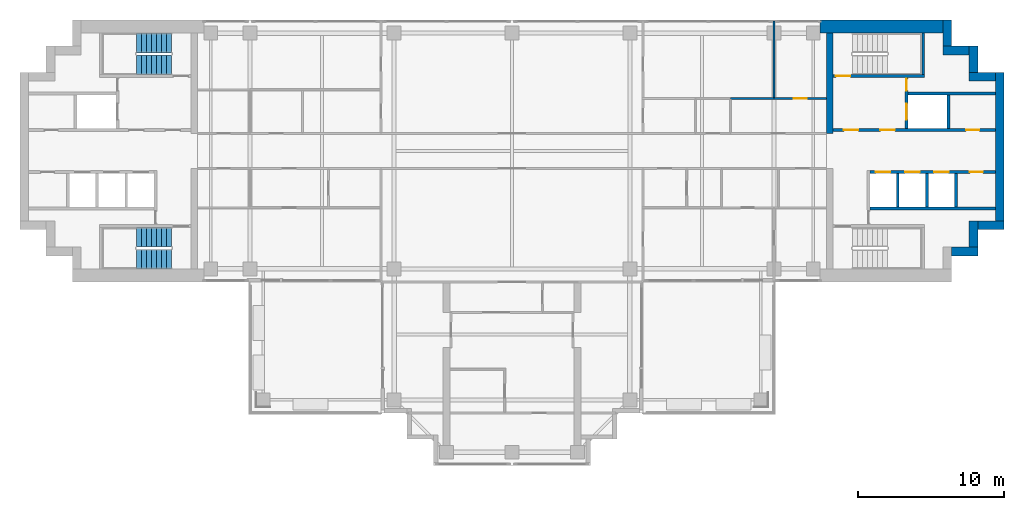
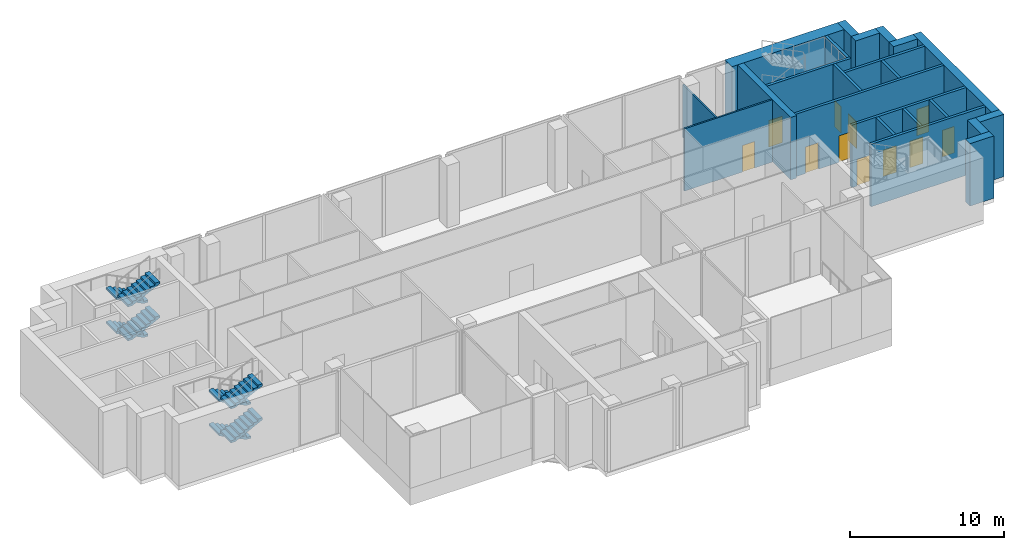
# One storey, part 8 of 12: 23 walls, 11 doors, 8 stair flights, 11 openings, 2 elements without a shape of their own.
"""IFC4 building model written with IfcOpenShell, lengths in metres."""

from ifc_helpers import new_model, si_unit, direction, frame, frame_2d, origin, place, context, subcontext, project, spatial, polyline, rectangle, outline, extrude, material, layer, layer_set, type_object, element, fill, aggregate, save


model = new_model("IFC4")

# Units and contexts
model_context = context("Model", 3, precision=1e-05, world=origin(), true_north=direction((0.0, 1.0)))
body_context = subcontext(model_context, "Body", "Model", "MODEL_VIEW")
ifc_project = project(units=[si_unit("LENGTHUNIT", "METRE"), si_unit("AREAUNIT", "SQUARE_METRE"), si_unit("VOLUMEUNIT", "CUBIC_METRE"), si_unit("PLANEANGLEUNIT", "RADIAN"), si_unit("MASSUNIT", "GRAM", prefix="KILO")], contexts=[model_context])

# Site, building, storey
site_placement = place(None, origin())
site = spatial("IfcSite", under=ifc_project, at=site_placement, CompositionType="ELEMENT")
building_placement = place(site_placement, origin())
building = spatial("IfcBuilding", under=site, at=building_placement, Name="Perihelion Cross Residences", CompositionType="ELEMENT")
storey_placement = place(building_placement, frame((0.0, 0.0, 222.60009765625)))
storey = spatial("IfcBuildingStorey", under=building, at=storey_placement, Name="L56", CompositionType="ELEMENT", Elevation=222.60009765625)

# Walls
ifc_material_1 = material(Name="Concrete C60/75", Category="concrete")
ifc_layer_1 = layer(ifc_material_1, 0.449951171875)
ifc_layer_set_1 = layer_set([ifc_layer_1], Name="Core wall, inner 450")
wall_type_1 = type_object("IfcWallType", Name="Core wall, inner 450", PredefinedType="SHEAR", material=ifc_layer_set_1)
wall_1_placement = place(storey_placement, frame((21.824951171875, 1.199951171875, 0.0), z_axis=(0.0, 0.0, 1.0), x_axis=(0.0, 1.0, 0.0)))
element("IfcWall", 1, at=wall_1_placement, inside=storey, type_object=wall_type_1, Name="East core core wall, inner", PredefinedType="SHEAR", context=body_context, shape_type="SweptSolid", body=[
    extrude(rectangle(XDim=6.900146484375, YDim=0.449951171875, at=frame_2d((3.4501953125, 0.0))), origin(), (0.0, 0.0, 1.0), 4.949951171875),
])
ifc_material_2 = material(Name="Concrete C60/75", Category="concrete")
ifc_layer_2 = layer(ifc_material_2, 0.60009765625)
ifc_layer_set_2 = layer_set([ifc_layer_2], Name="Core wall, outer 600")
wall_type_2 = type_object("IfcWallType", Name="Core wall, outer 600", PredefinedType="SHEAR", material=ifc_layer_set_2)
for number, where, z_axis, x_axis, name in (
    (2, (30.199951171875, -6.89990234375, 0.0), (0.0, 0.0, 1.0), (1.0, 0.0, 0.0), "East core core wall, outer"),
    (3, (31.699951171875, -6.60009765625, 0.0), (0.0, 0.0, 1.0), (0.0, 1.0, 0.0), "East core core wall, outer"),
    (4, (32.0, -5.10009765625, 0.0), (0.0, 0.0, 1.0), (1.0, 0.0, 0.0), "East core core wall, outer"),
):
    element("IfcWall", number, at=place(storey_placement, frame(where, z_axis=z_axis, x_axis=x_axis)), inside=storey, type_object=wall_type_2, Name=name, PredefinedType="SHEAR", context=body_context, shape_type="SweptSolid", body=[
        extrude(rectangle(XDim=1.800048828125, YDim=0.60009765625, at=frame_2d((0.89990234375, 0.0))), origin(), (0.0, 0.0, 1.0), 4.949951171875),
    ])
wall_2_placement = place(storey_placement, frame((33.5, -4.800048828125, 0.0), z_axis=(0.0, 0.0, 1.0), x_axis=(0.0, 1.0, 0.0)))
element("IfcWall", 5, at=wall_2_placement, inside=storey, type_object=wall_type_2, Name="East core core wall, outer", PredefinedType="SHEAR", context=body_context, shape_type="SweptSolid", body=[
    extrude(rectangle(XDim=10.199951171875, YDim=0.60009765625, at=frame_2d((5.10009765625, 0.0))), origin(), (0.0, 0.0, 1.0), 4.949951171875),
])
for number, where, z_axis, x_axis, name in (
    (6, (31.39990234375, 5.10009765625, 0.0), (0.0, 0.0, 1.0), (1.0, 0.0, 0.0), "East core core wall, outer"),
    (7, (31.699951171875, 5.39990234375, 0.0), (0.0, 0.0, 1.0), (0.0, 1.0, 0.0), "East core core wall, outer"),
):
    element("IfcWall", number, at=place(storey_placement, frame(where, z_axis=z_axis, x_axis=x_axis)), inside=storey, type_object=wall_type_2, Name=name, PredefinedType="SHEAR", context=body_context, shape_type="SweptSolid", body=[
        extrude(rectangle(XDim=1.800048828125, YDim=0.60009765625, at=frame_2d((0.89990234375, 0.0))), origin(), (0.0, 0.0, 1.0), 4.949951171875),
    ])
wall_3_placement = place(storey_placement, frame((29.60009765625, 6.89990234375, 0.0), z_axis=(0.0, 0.0, 1.0), x_axis=(1.0, 0.0, 0.0)))
element("IfcWall", 8, at=wall_3_placement, inside=storey, type_object=wall_type_2, Name="East core core wall, outer", PredefinedType="SHEAR", context=body_context, shape_type="SweptSolid", body=[
    extrude(rectangle(XDim=1.7998046875, YDim=0.60009765625, at=frame_2d((0.89990234375, 0.0))), origin(), (0.0, 0.0, 1.0), 4.949951171875),
])
wall_4_placement = place(storey_placement, frame((29.89990234375, 7.199951171875, 0.0), z_axis=(0.0, 0.0, 1.0), x_axis=(0.0, 1.0, 0.0)))
element("IfcWall", 9, at=wall_4_placement, inside=storey, type_object=wall_type_2, Name="East core core wall, outer", PredefinedType="SHEAR", context=body_context, shape_type="SweptSolid", body=[
    extrude(rectangle(XDim=1.800048828125, YDim=0.60009765625, at=frame_2d((0.89990234375, 0.0))), origin(), (0.0, 0.0, 1.0), 4.949951171875),
])
ifc_material_3 = material(Name="Concrete C60/75", Category="concrete")
ifc_layer_3 = layer(ifc_material_3, 0.89990234375)
ifc_layer_set_3 = layer_set([ifc_layer_3], Name="Core wall, outer 900")
wall_type_3 = type_object("IfcWallType", Name="Core wall, outer 900", PredefinedType="SHEAR", material=ifc_layer_set_3)
wall_5_placement = place(storey_placement, frame((21.175048828125, 8.550048828125, 0.0), z_axis=(0.0, 0.0, 1.0), x_axis=(1.0, 0.0, 0.0)))
element("IfcWall", 10, at=wall_5_placement, inside=storey, type_object=wall_type_3, Name="East core core wall, outer", PredefinedType="SHEAR", context=body_context, shape_type="SweptSolid", body=[
    extrude(rectangle(XDim=8.425048828125, YDim=0.89990234375, at=frame_2d((4.21240234375, 0.0))), origin(), (0.0, 0.0, 1.0), 4.949951171875),
])
ifc_material_4 = material(Name="Plasterboard partition")
ifc_layer_4 = layer(ifc_material_4, 0.1201171875)
ifc_layer_set_4 = layer_set([ifc_layer_4], Name="Partition wall 120")
wall_type_4 = type_object("IfcWallType", Name="Partition wall 120", PredefinedType="PARTITIONING", material=ifc_layer_set_4)
wall_6_placement = place(storey_placement, frame((18.0, 8.919921875, 0.0), z_axis=(0.0, 0.0, 1.0), x_axis=(0.0, -1.0, 0.0)))
element("IfcWall", 11, at=wall_6_placement, inside=storey, type_object=wall_type_4, Name="Partition L56 W015", PredefinedType="PARTITIONING", context=body_context, shape_type="SweptSolid", body=[
    extrude(rectangle(XDim=5.260009765625, YDim=0.1201171875, at=frame_2d((2.6298828125, 0.0))), origin(), (0.0, 0.0, 1.0), 4.179931640625),
])

# Wall, opening, door
wall_7_placement = place(storey_placement, frame((21.60009765625, 3.60009765625, 0.0), z_axis=(0.0, 0.0, 1.0), x_axis=(-1.0, 0.0, 0.0)))
wall_7 = element("IfcWall", 12, at=wall_7_placement, inside=storey, type_object=wall_type_4, Name="Partition L56 W018", PredefinedType="PARTITIONING", context=body_context, shape_type="SweptSolid", body=[
    extrude(rectangle(XDim=6.60009765625, YDim=0.1201171875, at=frame_2d((3.300048828125, 0.0))), origin(), (0.0, 0.0, 1.0), 4.949951171875),
])
opening_1_placement = place(wall_7_placement, frame((1.35009765625, 0.0, 0.0)))
opening_1 = element("IfcOpeningElement", 13, at=opening_1_placement, cuts=wall_7, Name="Opening L56.A16", PredefinedType="OPENING", context=body_context, shape_type="SweptSolid", body=[
    extrude(rectangle(XDim=0.89990234375, YDim=2.10009765625, at=frame_2d((0.449951171875, 1.050048828125))), frame((0.0, 0.070068359375, 0.0), z_axis=(0.0, -1.0, 0.0), x_axis=(1.0, 0.0, 0.0)), (0.0, 0.0, 1.0), 0.14013671875),
])
ifc_material_5 = material(Name="Timber door leaf", Category="wood")
door_type_1 = type_object("IfcDoorType", Name="Interior room door 900 x 2100", OperationType="SINGLE_SWING_LEFT", PredefinedType="DOOR", material=ifc_material_5)
door_1_placement = place(opening_1_placement, origin())
door_1 = element("IfcDoor", 14, at=door_1_placement, inside=storey, type_object=door_type_1, Name="Door L56.A16", OperationType="SINGLE_SWING_RIGHT", OverallHeight=2.10009765625, OverallWidth=0.89990234375, PredefinedType="DOOR", context=body_context, shape_type="SweptSolid", body=[
    extrude(rectangle(XDim=0.89990234375, YDim=2.10009765625, at=frame_2d((0.449951171875, 1.050048828125))), frame((0.0, 0.02490234375, 0.0), z_axis=(0.0, -1.0, 0.0), x_axis=(1.0, 0.0, 0.0)), (0.0, 0.0, 1.0), 0.050048828125),
])
fill(opening_1, door_1)

# Wall, openings, doors
ifc_material_6 = material(Name="Concrete C50/60", Category="concrete")
ifc_layer_5 = layer(ifc_material_6, 0.199951171875)
ifc_layer_set_5 = layer_set([ifc_layer_5], Name="Shaft wall 200")
wall_type_5 = type_object("IfcWallType", Name="Shaft wall 200", PredefinedType="SOLIDWALL", material=ifc_layer_set_5)
wall_8_placement = place(storey_placement, frame((22.050048828125, 1.449951171875, 0.0), z_axis=(0.0, 0.0, 1.0), x_axis=(1.0, 0.0, 0.0)))
wall_8 = element("IfcWall", 15, at=wall_8_placement, inside=storey, type_object=wall_type_5, Name="East core shaft wall", PredefinedType="SOLIDWALL", context=body_context, shape_type="SweptSolid", body=[
    extrude(rectangle(XDim=11.14990234375, YDim=0.199951171875, at=frame_2d((5.574951171875, 0.0))), origin(), (0.0, 0.0, 1.0), 4.949951171875),
])
opening_2_placement = place(wall_8_placement, frame((0.75, 0.0, 0.0)))
opening_2 = element("IfcOpeningElement", 16, at=opening_2_placement, cuts=wall_8, Name="Opening L56.C07", PredefinedType="OPENING", context=body_context, shape_type="SweptSolid", body=[
    extrude(rectangle(XDim=1.0, YDim=2.10009765625, at=frame_2d((0.5, 1.050048828125))), frame((0.0, 0.10986328125, 0.0), z_axis=(0.0, -1.0, 0.0), x_axis=(1.0, 0.0, 0.0)), (0.0, 0.0, 1.0), 0.219970703125),
])
opening_3_placement = place(wall_8_placement, frame((3.25, 0.0, 0.0)))
opening_3 = element("IfcOpeningElement", 17, at=opening_3_placement, cuts=wall_8, Name="Opening L56.C09", PredefinedType="OPENING", context=body_context, shape_type="SweptSolid", body=[
    extrude(rectangle(XDim=1.0, YDim=2.10009765625, at=frame_2d((0.5, 1.050048828125))), frame((0.0, 0.10986328125, 0.0), z_axis=(0.0, -1.0, 0.0), x_axis=(1.0, 0.0, 0.0)), (0.0, 0.0, 1.0), 0.219970703125),
])
opening_4_placement = place(wall_8_placement, frame((9.14990234375, 0.0, 0.0)))
opening_4 = element("IfcOpeningElement", 18, at=opening_4_placement, cuts=wall_8, Name="Opening L56.C11", PredefinedType="OPENING", context=body_context, shape_type="SweptSolid", body=[
    extrude(rectangle(XDim=0.89990234375, YDim=2.10009765625, at=frame_2d((0.449951171875, 1.050048828125))), frame((0.0, 0.10986328125, 0.0), z_axis=(0.0, -1.0, 0.0), x_axis=(1.0, 0.0, 0.0)), (0.0, 0.0, 1.0), 0.219970703125),
])
ifc_material_7 = material(Name="Steel, powder coated", Category="steel")
door_type_2 = type_object("IfcDoorType", Name="Lobby door 1000", OperationType="SINGLE_SWING_LEFT", PredefinedType="DOOR", material=ifc_material_7)
door_2_placement = place(opening_2_placement, origin())
door_2 = element("IfcDoor", 19, at=door_2_placement, inside=storey, type_object=door_type_2, Name="East core firefighting lobby door", OperationType="SINGLE_SWING_LEFT", OverallHeight=2.10009765625, OverallWidth=1.0, PredefinedType="DOOR", context=body_context, shape_type="SweptSolid", body=[
    extrude(rectangle(XDim=1.0, YDim=2.10009765625, at=frame_2d((0.5, 1.050048828125))), frame((0.0, 0.02490234375, 0.0), z_axis=(0.0, -1.0, 0.0), x_axis=(1.0, 0.0, 0.0)), (0.0, 0.0, 1.0), 0.050048828125),
])
fill(opening_2, door_2)
door_3_placement = place(opening_3_placement, origin())
door_3 = element("IfcDoor", 20, at=door_3_placement, inside=storey, type_object=door_type_2, Name="East core firefighting lobby door", OperationType="SINGLE_SWING_LEFT", OverallHeight=2.10009765625, OverallWidth=1.0, PredefinedType="DOOR", context=body_context, shape_type="SweptSolid", body=[
    extrude(rectangle(XDim=1.0, YDim=2.10009765625, at=frame_2d((0.5, 1.050048828125))), frame((0.0, 0.02490234375, 0.0), z_axis=(0.0, -1.0, 0.0), x_axis=(1.0, 0.0, 0.0)), (0.0, 0.0, 1.0), 0.050048828125),
])
fill(opening_3, door_3)
ifc_material_8 = material(Name="Steel, powder coated", Category="steel")
door_type_3 = type_object("IfcDoorType", Name="Service room door 900", OperationType="SINGLE_SWING_LEFT", PredefinedType="DOOR", material=ifc_material_8)
door_4_placement = place(opening_4_placement, origin())
door_4 = element("IfcDoor", 21, at=door_4_placement, inside=storey, type_object=door_type_3, Name="East core service room door", OperationType="SINGLE_SWING_LEFT", OverallHeight=2.10009765625, OverallWidth=0.89990234375, PredefinedType="DOOR", context=body_context, shape_type="SweptSolid", body=[
    extrude(rectangle(XDim=0.89990234375, YDim=2.10009765625, at=frame_2d((0.449951171875, 1.050048828125))), frame((0.0, 0.02490234375, 0.0), z_axis=(0.0, -1.0, 0.0), x_axis=(1.0, 0.0, 0.0)), (0.0, 0.0, 1.0), 0.050048828125),
])
fill(opening_4, door_4)

wall_9_placement = place(storey_placement, frame((24.60009765625, -1.449951171875, 0.0), z_axis=(0.0, 0.0, 1.0), x_axis=(1.0, 0.0, 0.0)))
wall_9 = element("IfcWall", 22, at=wall_9_placement, inside=storey, type_object=wall_type_5, Name="East core shaft wall", PredefinedType="SOLIDWALL", context=body_context, shape_type="SweptSolid", body=[
    extrude(rectangle(XDim=8.599853515625, YDim=0.199951171875, at=frame_2d((4.2998046875, 0.0))), origin(), (0.0, 0.0, 1.0), 4.949951171875),
])
opening_5_placement = place(wall_9_placement, frame((0.39990234375, 0.0, 0.0)))
opening_5 = element("IfcOpeningElement", 23, at=opening_5_placement, cuts=wall_9, Name="Opening L56.C01", PredefinedType="OPENING", context=body_context, shape_type="SweptSolid", body=[
    extrude(rectangle(XDim=1.0, YDim=2.10009765625, at=frame_2d((0.5, 1.050048828125))), frame((0.0, 0.10986328125, 0.0), z_axis=(0.0, -1.0, 0.0), x_axis=(1.0, 0.0, 0.0)), (0.0, 0.0, 1.0), 0.219970703125),
])
opening_6_placement = place(wall_9_placement, frame((2.39990234375, 0.0, 0.0)))
opening_6 = element("IfcOpeningElement", 24, at=opening_6_placement, cuts=wall_9, Name="Opening L56.C03", PredefinedType="OPENING", context=body_context, shape_type="SweptSolid", body=[
    extrude(rectangle(XDim=1.0, YDim=2.10009765625, at=frame_2d((0.5, 1.050048828125))), frame((0.0, 0.10986328125, 0.0), z_axis=(0.0, -1.0, 0.0), x_axis=(1.0, 0.0, 0.0)), (0.0, 0.0, 1.0), 0.219970703125),
])
opening_7_placement = place(wall_9_placement, frame((4.39990234375, 0.0, 0.0)))
opening_7 = element("IfcOpeningElement", 25, at=opening_7_placement, cuts=wall_9, Name="Opening L56.C04", PredefinedType="OPENING", context=body_context, shape_type="SweptSolid", body=[
    extrude(rectangle(XDim=1.0, YDim=2.10009765625, at=frame_2d((0.5, 1.050048828125))), frame((0.0, 0.10986328125, 0.0), z_axis=(0.0, -1.0, 0.0), x_axis=(1.0, 0.0, 0.0)), (0.0, 0.0, 1.0), 0.219970703125),
])
opening_8_placement = place(wall_9_placement, frame((6.85009765625, 0.0, 0.0)))
opening_8 = element("IfcOpeningElement", 26, at=opening_8_placement, cuts=wall_9, Name="Opening L56.C12", PredefinedType="OPENING", context=body_context, shape_type="SweptSolid", body=[
    extrude(rectangle(XDim=0.89990234375, YDim=2.10009765625, at=frame_2d((0.449951171875, 1.050048828125))), frame((0.0, 0.10986328125, 0.0), z_axis=(0.0, -1.0, 0.0), x_axis=(1.0, 0.0, 0.0)), (0.0, 0.0, 1.0), 0.219970703125),
])
ifc_material_9 = material(Name="Stainless steel", Category="steel")
door_type_4 = type_object("IfcDoorType", Name="Landing door 1000", OperationType="DOUBLE_DOOR_SLIDING", PredefinedType="DOOR", material=ifc_material_9)
door_5_placement = place(opening_5_placement, origin())
door_5 = element("IfcDoor", 27, at=door_5_placement, inside=storey, type_object=door_type_4, Name="Landing door, East core high-rise lift 1", OperationType="DOUBLE_DOOR_SLIDING", OverallHeight=2.10009765625, OverallWidth=1.0, PredefinedType="DOOR", context=body_context, shape_type="SweptSolid", body=[
    extrude(rectangle(XDim=1.0, YDim=2.10009765625, at=frame_2d((0.5, 1.050048828125))), frame((0.0, 0.02490234375, 0.0), z_axis=(0.0, -1.0, 0.0), x_axis=(1.0, 0.0, 0.0)), (0.0, 0.0, 1.0), 0.050048828125),
])
fill(opening_5, door_5)
door_6_placement = place(opening_6_placement, origin())
door_6 = element("IfcDoor", 28, at=door_6_placement, inside=storey, type_object=door_type_4, Name="Landing door, East core high-rise lift 2", OperationType="DOUBLE_DOOR_SLIDING", OverallHeight=2.10009765625, OverallWidth=1.0, PredefinedType="DOOR", context=body_context, shape_type="SweptSolid", body=[
    extrude(rectangle(XDim=1.0, YDim=2.10009765625, at=frame_2d((0.5, 1.050048828125))), frame((0.0, 0.02490234375, 0.0), z_axis=(0.0, -1.0, 0.0), x_axis=(1.0, 0.0, 0.0)), (0.0, 0.0, 1.0), 0.050048828125),
])
fill(opening_6, door_6)
door_7_placement = place(opening_7_placement, origin())
door_7 = element("IfcDoor", 29, at=door_7_placement, inside=storey, type_object=door_type_4, Name="Landing door, East core high-rise lift 3", OperationType="DOUBLE_DOOR_SLIDING", OverallHeight=2.10009765625, OverallWidth=1.0, PredefinedType="DOOR", context=body_context, shape_type="SweptSolid", body=[
    extrude(rectangle(XDim=1.0, YDim=2.10009765625, at=frame_2d((0.5, 1.050048828125))), frame((0.0, 0.02490234375, 0.0), z_axis=(0.0, -1.0, 0.0), x_axis=(1.0, 0.0, 0.0)), (0.0, 0.0, 1.0), 0.050048828125),
])
fill(opening_7, door_7)
door_8_placement = place(opening_8_placement, origin())
door_8 = element("IfcDoor", 30, at=door_8_placement, inside=storey, type_object=door_type_3, Name="East core service room door", OperationType="SINGLE_SWING_LEFT", OverallHeight=2.10009765625, OverallWidth=0.89990234375, PredefinedType="DOOR", context=body_context, shape_type="SweptSolid", body=[
    extrude(rectangle(XDim=0.89990234375, YDim=2.10009765625, at=frame_2d((0.449951171875, 1.050048828125))), frame((0.0, 0.02490234375, 0.0), z_axis=(0.0, -1.0, 0.0), x_axis=(1.0, 0.0, 0.0)), (0.0, 0.0, 1.0), 0.050048828125),
])
fill(opening_8, door_8)

# Walls
wall_10_placement = place(storey_placement, frame((27.199951171875, 3.949951171875, 0.0), z_axis=(0.0, 0.0, 1.0), x_axis=(1.0, 0.0, 0.0)))
element("IfcWall", 31, at=wall_10_placement, inside=storey, type_object=wall_type_5, Name="East core shaft wall", PredefinedType="SOLIDWALL", context=body_context, shape_type="SweptSolid", body=[
    extrude(rectangle(XDim=6.0, YDim=0.199951171875, at=frame_2d((3.0, 0.0))), origin(), (0.0, 0.0, 1.0), 4.949951171875),
])
wall_11_placement = place(storey_placement, frame((24.60009765625, -3.949951171875, 0.0), z_axis=(0.0, 0.0, 1.0), x_axis=(1.0, 0.0, 0.0)))
element("IfcWall", 32, at=wall_11_placement, inside=storey, type_object=wall_type_5, Name="East core shaft wall", PredefinedType="SOLIDWALL", context=body_context, shape_type="SweptSolid", body=[
    extrude(rectangle(XDim=8.599853515625, YDim=0.199951171875, at=frame_2d((4.2998046875, 0.0))), origin(), (0.0, 0.0, 1.0), 4.949951171875),
])

# Wall, openings, doors
wall_12_placement = place(storey_placement, frame((27.10009765625, 1.550048828125, 0.0), z_axis=(0.0, 0.0, 1.0), x_axis=(0.0, 1.0, 0.0)))
wall_12 = element("IfcWall", 33, at=wall_12_placement, inside=storey, type_object=wall_type_5, Name="East core shaft wall", PredefinedType="SOLIDWALL", context=body_context, shape_type="SweptSolid", body=[
    extrude(rectangle(XDim=3.5, YDim=0.199951171875, at=frame_2d((1.75, 0.0))), origin(), (0.0, 0.0, 1.0), 4.949951171875),
])
opening_9_placement = place(wall_12_placement, frame((0.60009765625, 0.0, 0.0)))
opening_9 = element("IfcOpeningElement", 34, at=opening_9_placement, cuts=wall_12, Name="Opening L56.C02", PredefinedType="OPENING", context=body_context, shape_type="SweptSolid", body=[
    extrude(rectangle(XDim=1.10009765625, YDim=2.10009765625, at=frame_2d((0.550048828125, 1.050048828125))), frame((0.0, 0.10986328125, 0.0), z_axis=(0.0, -1.0, 0.0), x_axis=(1.0, 0.0, 0.0)), (0.0, 0.0, 1.0), 0.219970703125),
])
opening_10_placement = place(wall_12_placement, frame((2.60009765625, 0.0, 0.0)))
opening_10 = element("IfcOpeningElement", 35, at=opening_10_placement, cuts=wall_12, Name="Opening L56.C10", PredefinedType="OPENING", context=body_context, shape_type="SweptSolid", body=[
    extrude(rectangle(XDim=0.800048828125, YDim=2.10009765625, at=frame_2d((0.39990234375, 1.050048828125))), frame((0.0, 0.10986328125, 0.0), z_axis=(0.0, -1.0, 0.0), x_axis=(1.0, 0.0, 0.0)), (0.0, 0.0, 1.0), 0.219970703125),
])
ifc_material_10 = material(Name="Stainless steel", Category="steel")
door_type_5 = type_object("IfcDoorType", Name="Landing door, firefighting lift 1100", OperationType="DOUBLE_DOOR_SLIDING", PredefinedType="DOOR", material=ifc_material_10)
door_9_placement = place(opening_9_placement, origin())
door_9 = element("IfcDoor", 36, at=door_9_placement, inside=storey, type_object=door_type_5, Name="Landing door, East core firefighting and service lift", OperationType="DOUBLE_DOOR_SLIDING", OverallHeight=2.10009765625, OverallWidth=1.10009765625, PredefinedType="DOOR", context=body_context, shape_type="SweptSolid", body=[
    extrude(rectangle(XDim=1.10009765625, YDim=2.10009765625, at=frame_2d((0.550048828125, 1.050048828125))), frame((0.0, 0.02490234375, 0.0), z_axis=(0.0, -1.0, 0.0), x_axis=(1.0, 0.0, 0.0)), (0.0, 0.0, 1.0), 0.050048828125),
])
fill(opening_9, door_9)
ifc_material_11 = material(Name="Steel, powder coated", Category="steel")
door_type_6 = type_object("IfcDoorType", Name="Riser door 800", OperationType="SINGLE_SWING_LEFT", PredefinedType="DOOR", material=ifc_material_11)
door_10_placement = place(opening_10_placement, origin())
door_10 = element("IfcDoor", 37, at=door_10_placement, inside=storey, type_object=door_type_6, Name="East core riser door", OperationType="SINGLE_SWING_LEFT", OverallHeight=2.10009765625, OverallWidth=0.800048828125, PredefinedType="DOOR", context=body_context, shape_type="SweptSolid", body=[
    extrude(rectangle(XDim=0.800048828125, YDim=2.10009765625, at=frame_2d((0.39990234375, 1.050048828125))), frame((0.0, 0.02490234375, 0.0), z_axis=(0.0, -1.0, 0.0), x_axis=(1.0, 0.0, 0.0)), (0.0, 0.0, 1.0), 0.050048828125),
])
fill(opening_10, door_10)

# Walls
for number, where, z_axis, x_axis, name in (
    (38, (30.0, 1.550048828125, 0.0), (0.0, 0.0, 1.0), (0.0, 1.0, 0.0), "East core shaft wall"),
    (39, (26.5, -3.85009765625, 0.0), (0.0, 0.0, 1.0), (0.0, 1.0, 0.0), "East core shaft wall"),
    (40, (28.5, -3.85009765625, 0.0), (0.0, 0.0, 1.0), (0.0, 1.0, 0.0), "East core shaft wall"),
    (41, (30.5, -3.85009765625, 0.0), (0.0, 0.0, 1.0), (0.0, 1.0, 0.0), "East core shaft wall"),
):
    element("IfcWall", number, at=place(storey_placement, frame(where, z_axis=z_axis, x_axis=x_axis)), inside=storey, type_object=wall_type_5, Name=name, PredefinedType="SOLIDWALL", context=body_context, shape_type="SweptSolid", body=[
        extrude(rectangle(XDim=2.300048828125, YDim=0.199951171875, at=frame_2d((1.14990234375, 0.0))), origin(), (0.0, 0.0, 1.0), 4.949951171875),
    ])

# Wall, opening, door
ifc_material_12 = material(Name="Concrete C50/60", Category="concrete")
ifc_layer_6 = layer(ifc_material_12, 0.199951171875)
ifc_layer_set_6 = layer_set([ifc_layer_6], Name="Stair wall 200")
wall_type_6 = type_object("IfcWallType", Name="Stair wall 200", PredefinedType="SOLIDWALL", material=ifc_layer_set_6)
wall_13_placement = place(storey_placement, frame((22.050048828125, 5.14990234375, 0.0), z_axis=(0.0, 0.0, 1.0), x_axis=(1.0, 0.0, 0.0)))
wall_13 = element("IfcWall", 42, at=wall_13_placement, inside=storey, type_object=wall_type_6, Name="East core stair wall", PredefinedType="SOLIDWALL", context=body_context, shape_type="SweptSolid", body=[
    extrude(rectangle(XDim=6.300048828125, YDim=0.199951171875, at=frame_2d((3.14990234375, 0.0))), origin(), (0.0, 0.0, 1.0), 4.949951171875),
])
opening_11_placement = place(wall_13_placement, frame((0.199951171875, 0.0, 0.0)))
opening_11 = element("IfcOpeningElement", 43, at=opening_11_placement, cuts=wall_13, Name="Opening L56.C06", PredefinedType="OPENING", context=body_context, shape_type="SweptSolid", body=[
    extrude(rectangle(XDim=1.0, YDim=2.10009765625, at=frame_2d((0.5, 1.050048828125))), frame((0.0, 0.10986328125, 0.0), z_axis=(0.0, -1.0, 0.0), x_axis=(1.0, 0.0, 0.0)), (0.0, 0.0, 1.0), 0.219970703125),
])
ifc_material_13 = material(Name="Steel, powder coated", Category="steel")
door_type_7 = type_object("IfcDoorType", Name="Stair door 1000", OperationType="SINGLE_SWING_LEFT", PredefinedType="DOOR", material=ifc_material_13)
door_11_placement = place(opening_11_placement, origin())
door_11 = element("IfcDoor", 44, at=door_11_placement, inside=storey, type_object=door_type_7, Name="East core stair door", OperationType="SINGLE_SWING_LEFT", OverallHeight=2.10009765625, OverallWidth=1.0, PredefinedType="DOOR", context=body_context, shape_type="SweptSolid", body=[
    extrude(rectangle(XDim=1.0, YDim=2.10009765625, at=frame_2d((0.5, 1.050048828125))), frame((0.0, 0.02490234375, 0.0), z_axis=(0.0, -1.0, 0.0), x_axis=(1.0, 0.0, 0.0)), (0.0, 0.0, 1.0), 0.050048828125),
])
fill(opening_11, door_11)

# Wall
wall_14_placement = place(storey_placement, frame((28.25, 5.25, 0.0), z_axis=(0.0, 0.0, 1.0), x_axis=(0.0, 1.0, 0.0)))
element("IfcWall", 45, at=wall_14_placement, inside=storey, type_object=wall_type_6, Name="East core stair wall", PredefinedType="SOLIDWALL", context=body_context, shape_type="SweptSolid", body=[
    extrude(rectangle(XDim=2.85009765625, YDim=0.199951171875, at=frame_2d((1.425048828125, 0.0))), origin(), (0.0, 0.0, 1.0), 4.949951171875),
])

# Stair, stair flights
ifc_material_14 = material(Name="Concrete C40/50", Category="concrete")
stair_type = type_object("IfcStairType", Name="Exit stair, half-turn", PredefinedType="HALF_TURN_STAIR", material=ifc_material_14)
stair_1_placement = place(storey_placement, origin())
stair_1 = element("IfcStair", 46, at=stair_1_placement, inside=storey, type_object=stair_type, Name="L56 West core exit stair 1", PredefinedType="HALF_TURN_STAIR")
ifc_material_15 = material(Name="Concrete C40/50", Category="concrete")
stair_flight_type = type_object("IfcStairFlightType", Name="Exit stair flight", PredefinedType="STRAIGHT", material=ifc_material_15)
stair_flight_1_placement = place(storey_placement, frame((-23.39990234375, 7.425048828125, 0.0), z_axis=(0.0, 0.0, 1.0), x_axis=(-1.0, 0.0, 0.0)))
stair_flight_1 = element("IfcStairFlight", 47, at=stair_flight_1_placement, type_object=stair_flight_type, Name="ST-W1 flight 1", NumberOfRisers=8, NumberOfTreads=7, PredefinedType="STRAIGHT", RiserHeight=0.16875, TreadLength=0.34, context=body_context, shape_type="SweptSolid", body=[
    extrude(outline(polyline([(0.0, 0.0), (0.0, 0.168701171875), (0.340087890625, 0.168701171875), (0.340087890625, 0.33740234375), (0.679931640625, 0.33740234375), (0.679931640625, 0.50634765625), (1.02001953125, 0.50634765625), (1.02001953125, 0.675048828125), (1.360107421875, 0.675048828125), (1.360107421875, 0.84375), (1.699951171875, 0.84375), (1.699951171875, 1.012451171875), (2.0400390625, 1.012451171875), (2.0400390625, 1.18115234375), (2.3798828125, 1.18115234375), (2.3798828125, 1.35009765625), (2.3798828125, 1.013916015625), (0.337158203125, 0.0), (0.0, 0.0)])), frame((0.0, 0.675048828125, 0.0), z_axis=(0.0, -1.0, 0.0), x_axis=(1.0, 0.0, 0.0)), (0.0, 0.0, 1.0), 1.35009765625),
])
stair_flight_2_placement = place(storey_placement, frame((-25.780029296875, 5.925048828125, 1.349853515625), z_axis=(0.0, 0.0, 1.0), x_axis=(1.0, 0.0, 0.0)))
stair_flight_2 = element("IfcStairFlight", 48, at=stair_flight_2_placement, type_object=stair_flight_type, Name="ST-W1 flight 2", NumberOfRisers=8, NumberOfTreads=7, PredefinedType="STRAIGHT", RiserHeight=0.16875, TreadLength=0.34, context=body_context, shape_type="SweptSolid", body=[
    extrude(outline(polyline([(0.0, 0.0), (0.0, 0.168701171875), (0.340087890625, 0.168701171875), (0.340087890625, 0.33740234375), (0.679931640625, 0.33740234375), (0.679931640625, 0.50634765625), (1.02001953125, 0.50634765625), (1.02001953125, 0.675048828125), (1.360107421875, 0.675048828125), (1.360107421875, 0.84375), (1.699951171875, 0.84375), (1.699951171875, 1.012451171875), (2.0400390625, 1.012451171875), (2.0400390625, 1.18115234375), (2.3798828125, 1.18115234375), (2.3798828125, 1.35009765625), (2.3798828125, 1.013916015625), (0.337158203125, 0.0), (0.0, 0.0)])), frame((0.0, 0.675048828125, 0.0), z_axis=(0.0, -1.0, 0.0), x_axis=(1.0, 0.0, 0.0)), (0.0, 0.0, 1.0), 1.35009765625),
])
stair_flight_3_placement = place(storey_placement, frame((-23.39990234375, 7.425048828125, 2.699951171875), z_axis=(0.0, 0.0, 1.0), x_axis=(-1.0, 0.0, 0.0)))
stair_flight_3 = element("IfcStairFlight", 49, at=stair_flight_3_placement, type_object=stair_flight_type, Name="ST-W1 flight 3", NumberOfRisers=8, NumberOfTreads=7, PredefinedType="STRAIGHT", RiserHeight=0.16875, TreadLength=0.34, context=body_context, shape_type="SweptSolid", body=[
    extrude(outline(polyline([(0.0, 0.0), (0.0, 0.168701171875), (0.340087890625, 0.168701171875), (0.340087890625, 0.33740234375), (0.679931640625, 0.33740234375), (0.679931640625, 0.50634765625), (1.02001953125, 0.50634765625), (1.02001953125, 0.675048828125), (1.360107421875, 0.675048828125), (1.360107421875, 0.84375), (1.699951171875, 0.84375), (1.699951171875, 1.012451171875), (2.0400390625, 1.012451171875), (2.0400390625, 1.18115234375), (2.3798828125, 1.18115234375), (2.3798828125, 1.35009765625), (2.3798828125, 1.013916015625), (0.337158203125, 0.0), (0.0, 0.0)])), frame((0.0, 0.675048828125, 0.0), z_axis=(0.0, -1.0, 0.0), x_axis=(1.0, 0.0, 0.0)), (0.0, 0.0, 1.0), 1.35009765625),
])
stair_flight_4_placement = place(storey_placement, frame((-25.780029296875, 5.925048828125, 4.0498046875), z_axis=(0.0, 0.0, 1.0), x_axis=(1.0, 0.0, 0.0)))
stair_flight_4 = element("IfcStairFlight", 50, at=stair_flight_4_placement, type_object=stair_flight_type, Name="ST-W1 flight 4", NumberOfRisers=8, NumberOfTreads=7, PredefinedType="STRAIGHT", RiserHeight=0.16875, TreadLength=0.34, context=body_context, shape_type="SweptSolid", body=[
    extrude(outline(polyline([(0.0, 0.0), (0.0, 0.168701171875), (0.340087890625, 0.168701171875), (0.340087890625, 0.33740234375), (0.679931640625, 0.33740234375), (0.679931640625, 0.50634765625), (1.02001953125, 0.50634765625), (1.02001953125, 0.675048828125), (1.360107421875, 0.675048828125), (1.360107421875, 0.84375), (1.699951171875, 0.84375), (1.699951171875, 1.012451171875), (2.0400390625, 1.012451171875), (2.0400390625, 1.18115234375), (2.3798828125, 1.18115234375), (2.3798828125, 1.35009765625), (2.3798828125, 1.013916015625), (0.337158203125, 0.0), (0.0, 0.0)])), frame((0.0, 0.675048828125, 0.0), z_axis=(0.0, -1.0, 0.0), x_axis=(1.0, 0.0, 0.0)), (0.0, 0.0, 1.0), 1.35009765625),
])
aggregate(stair_1, [stair_flight_1, stair_flight_2, stair_flight_3, stair_flight_4])

stair_2_placement = place(storey_placement, origin())
stair_2 = element("IfcStair", 51, at=stair_2_placement, inside=storey, type_object=stair_type, Name="L56 West core exit stair 2", PredefinedType="HALF_TURN_STAIR")
stair_flight_5_placement = place(storey_placement, frame((-23.39990234375, -5.925048828125, 0.0), z_axis=(0.0, 0.0, 1.0), x_axis=(-1.0, 0.0, 0.0)))
stair_flight_5 = element("IfcStairFlight", 52, at=stair_flight_5_placement, type_object=stair_flight_type, Name="ST-W2 flight 1", NumberOfRisers=8, NumberOfTreads=7, PredefinedType="STRAIGHT", RiserHeight=0.16875, TreadLength=0.34, context=body_context, shape_type="SweptSolid", body=[
    extrude(outline(polyline([(0.0, 0.0), (0.0, 0.168701171875), (0.340087890625, 0.168701171875), (0.340087890625, 0.33740234375), (0.679931640625, 0.33740234375), (0.679931640625, 0.50634765625), (1.02001953125, 0.50634765625), (1.02001953125, 0.675048828125), (1.360107421875, 0.675048828125), (1.360107421875, 0.84375), (1.699951171875, 0.84375), (1.699951171875, 1.012451171875), (2.0400390625, 1.012451171875), (2.0400390625, 1.18115234375), (2.3798828125, 1.18115234375), (2.3798828125, 1.35009765625), (2.3798828125, 1.013916015625), (0.337158203125, 0.0), (0.0, 0.0)])), frame((0.0, 0.675048828125, 0.0), z_axis=(0.0, -1.0, 0.0), x_axis=(1.0, 0.0, 0.0)), (0.0, 0.0, 1.0), 1.35009765625),
])
stair_flight_6_placement = place(storey_placement, frame((-25.780029296875, -7.425048828125, 1.349853515625), z_axis=(0.0, 0.0, 1.0), x_axis=(1.0, 0.0, 0.0)))
stair_flight_6 = element("IfcStairFlight", 53, at=stair_flight_6_placement, type_object=stair_flight_type, Name="ST-W2 flight 2", NumberOfRisers=8, NumberOfTreads=7, PredefinedType="STRAIGHT", RiserHeight=0.16875, TreadLength=0.34, context=body_context, shape_type="SweptSolid", body=[
    extrude(outline(polyline([(0.0, 0.0), (0.0, 0.168701171875), (0.340087890625, 0.168701171875), (0.340087890625, 0.33740234375), (0.679931640625, 0.33740234375), (0.679931640625, 0.50634765625), (1.02001953125, 0.50634765625), (1.02001953125, 0.675048828125), (1.360107421875, 0.675048828125), (1.360107421875, 0.84375), (1.699951171875, 0.84375), (1.699951171875, 1.012451171875), (2.0400390625, 1.012451171875), (2.0400390625, 1.18115234375), (2.3798828125, 1.18115234375), (2.3798828125, 1.35009765625), (2.3798828125, 1.013916015625), (0.337158203125, 0.0), (0.0, 0.0)])), frame((0.0, 0.675048828125, 0.0), z_axis=(0.0, -1.0, 0.0), x_axis=(1.0, 0.0, 0.0)), (0.0, 0.0, 1.0), 1.35009765625),
])
stair_flight_7_placement = place(storey_placement, frame((-23.39990234375, -5.925048828125, 2.699951171875), z_axis=(0.0, 0.0, 1.0), x_axis=(-1.0, 0.0, 0.0)))
stair_flight_7 = element("IfcStairFlight", 54, at=stair_flight_7_placement, type_object=stair_flight_type, Name="ST-W2 flight 3", NumberOfRisers=8, NumberOfTreads=7, PredefinedType="STRAIGHT", RiserHeight=0.16875, TreadLength=0.34, context=body_context, shape_type="SweptSolid", body=[
    extrude(outline(polyline([(0.0, 0.0), (0.0, 0.168701171875), (0.340087890625, 0.168701171875), (0.340087890625, 0.33740234375), (0.679931640625, 0.33740234375), (0.679931640625, 0.50634765625), (1.02001953125, 0.50634765625), (1.02001953125, 0.675048828125), (1.360107421875, 0.675048828125), (1.360107421875, 0.84375), (1.699951171875, 0.84375), (1.699951171875, 1.012451171875), (2.0400390625, 1.012451171875), (2.0400390625, 1.18115234375), (2.3798828125, 1.18115234375), (2.3798828125, 1.35009765625), (2.3798828125, 1.013916015625), (0.337158203125, 0.0), (0.0, 0.0)])), frame((0.0, 0.675048828125, 0.0), z_axis=(0.0, -1.0, 0.0), x_axis=(1.0, 0.0, 0.0)), (0.0, 0.0, 1.0), 1.35009765625),
])
stair_flight_8_placement = place(storey_placement, frame((-25.780029296875, -7.425048828125, 4.0498046875), z_axis=(0.0, 0.0, 1.0), x_axis=(1.0, 0.0, 0.0)))
stair_flight_8 = element("IfcStairFlight", 55, at=stair_flight_8_placement, type_object=stair_flight_type, Name="ST-W2 flight 4", NumberOfRisers=8, NumberOfTreads=7, PredefinedType="STRAIGHT", RiserHeight=0.16875, TreadLength=0.34, context=body_context, shape_type="SweptSolid", body=[
    extrude(outline(polyline([(0.0, 0.0), (0.0, 0.168701171875), (0.340087890625, 0.168701171875), (0.340087890625, 0.33740234375), (0.679931640625, 0.33740234375), (0.679931640625, 0.50634765625), (1.02001953125, 0.50634765625), (1.02001953125, 0.675048828125), (1.360107421875, 0.675048828125), (1.360107421875, 0.84375), (1.699951171875, 0.84375), (1.699951171875, 1.012451171875), (2.0400390625, 1.012451171875), (2.0400390625, 1.18115234375), (2.3798828125, 1.18115234375), (2.3798828125, 1.35009765625), (2.3798828125, 1.013916015625), (0.337158203125, 0.0), (0.0, 0.0)])), frame((0.0, 0.675048828125, 0.0), z_axis=(0.0, -1.0, 0.0), x_axis=(1.0, 0.0, 0.0)), (0.0, 0.0, 1.0), 1.35009765625),
])
aggregate(stair_2, [stair_flight_5, stair_flight_6, stair_flight_7, stair_flight_8])

save(model, "model.ifc")
